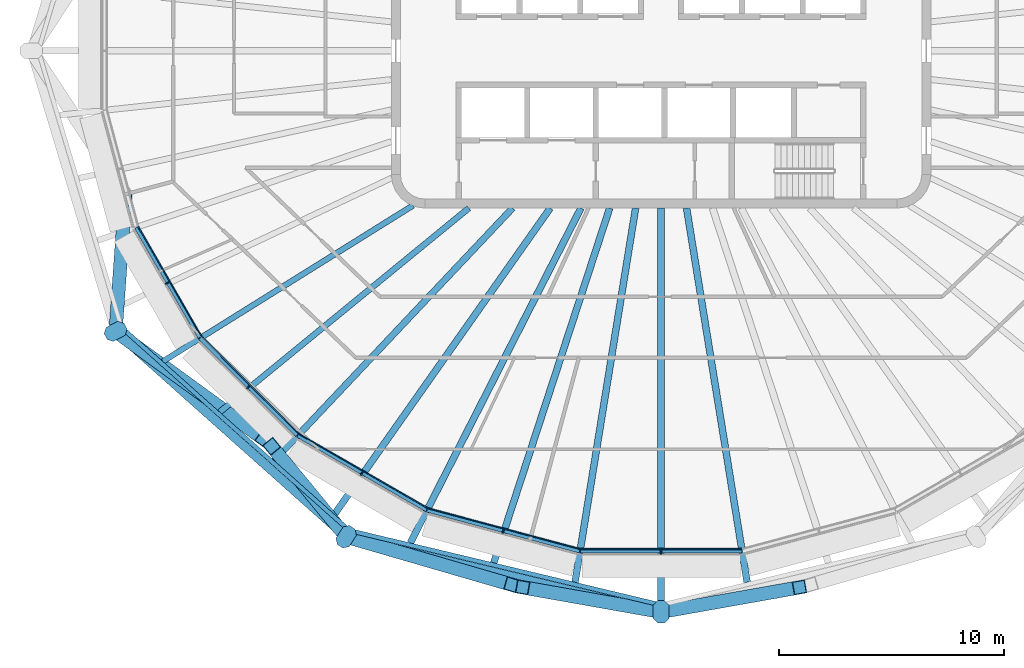
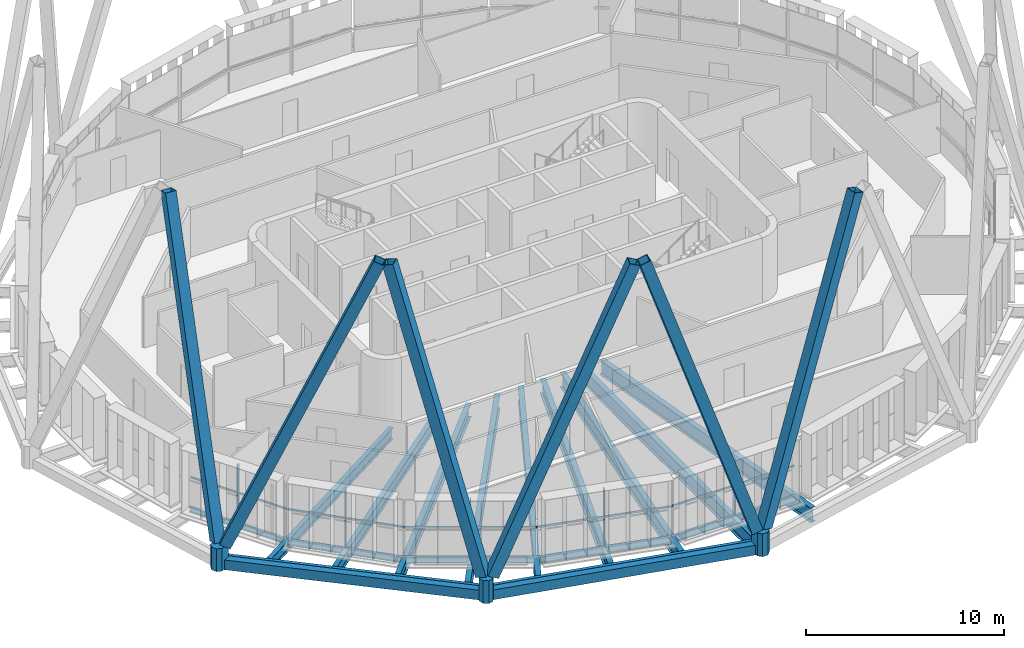
# One storey, part 1 of 18: 19 members, 18 beams, 5 elements without a shape of their own.
"""IFC4 building model written with IfcOpenShell, lengths in metres."""

import ifcopenshell
import ifcopenshell.guid

model = None  # the IFC model being written
_history = None  # IfcOwnerHistory: only IFC2X3 demands one
_inside = {}  # id of a spatial element -> (the spatial element, [elements in it])
_under = {}  # id of a project, library or spatial element -> (it, [spatial elements below it])
_declared = {}  # id of a project -> (the project, [libraries it declares])
_typed = {}  # id of a type object -> (the type object, [elements of that type])
_made_of = {}  # id of a material, layer set ... -> (it, [elements and type objects made of it])


def new_model(schema):
    """Start an empty IFC model of exactly this schema.

    Asked for "IFC4X3", IfcOpenShell would pick the latest addendum, in which some entities
    have other attributes; the version numbers below select the first issue.
    IFC2X3 requires an IfcOwnerHistory on every rooted entity: one is made here for all.
    """
    global model, _history
    if schema == "IFC4X3":
        model = ifcopenshell.file(schema_version=(4, 3, 0, 0))
    else:
        model = ifcopenshell.file(schema=schema)
    _inside.clear()
    _under.clear()
    _declared.clear()
    _typed.clear()
    _made_of.clear()
    _history = None
    if model.schema == "IFC2X3":
        org = make("IfcOrganization", Name="unknown")
        user = make(
            "IfcPersonAndOrganization",
            ThePerson=make("IfcPerson", FamilyName="unknown"),
            TheOrganization=org,
        )
        app = make(
            "IfcApplication",
            ApplicationDeveloper=org,
            Version="unknown",
            ApplicationFullName="unknown",
            ApplicationIdentifier="unknown",
        )
        _history = make(
            "IfcOwnerHistory",
            OwningUser=user,
            OwningApplication=app,
            ChangeAction="ADDED",
            CreationDate=0,
        )
    return model


def make(cls, **values):
    """One entity of the class cls with the attributes given. An attribute that is None is left unset."""
    return model.create_entity(
        cls, **{name: value for name, value in values.items() if value is not None}
    )


def rooted(cls, **values):
    """An entity with a GlobalId (a new one), such as an element, a storey or a relation."""
    return make(cls, GlobalId=ifcopenshell.guid.new(), OwnerHistory=_history, **values)


def si_unit(unit_type, name, prefix=None):
    """IfcSIUnit, for example si_unit("LENGTHUNIT", "METRE", prefix="MILLI")."""
    return make("IfcSIUnit", UnitType=unit_type, Prefix=prefix, Name=name)


def assignment(units):
    """IfcUnitAssignment: the units of a project."""
    return None if units is None else make("IfcUnitAssignment", Units=units)


def point(xyz):
    """IfcCartesianPoint."""
    return None if xyz is None else make("IfcCartesianPoint", Coordinates=xyz)


def direction(xyz):
    """IfcDirection."""
    return None if xyz is None else make("IfcDirection", DirectionRatios=xyz)


def frame(location, z_axis=None, x_axis=None):
    """IfcAxis2Placement3D, a coordinate frame: its origin and axes. An axis left out is left unset."""
    return make(
        "IfcAxis2Placement3D",
        Location=point(location),
        Axis=direction(z_axis),
        RefDirection=direction(x_axis),
    )


def frame_2d(location, x_axis=None):
    """IfcAxis2Placement2D, a coordinate frame in the plane: its origin and x axis."""
    return make(
        "IfcAxis2Placement2D", Location=point(location), RefDirection=direction(x_axis)
    )


def origin():
    """The frame at (0, 0, 0) with its axes left unset."""
    return frame((0.0, 0.0, 0.0))


def origin_2d():
    """The frame at (0, 0) in the plane with its x axis left unset."""
    return frame_2d((0.0, 0.0))


def place(relative_to, where):
    """IfcLocalPlacement: puts the frame where relative to a parent placement (None: the world)."""
    return make(
        "IfcLocalPlacement", PlacementRelTo=relative_to, RelativePlacement=where
    )


def context(
    kind, dimensions, precision=None, world=None, true_north=None, identifier=None
):
    """IfcGeometricRepresentationContext, for example the 3D "Model" context."""
    return make(
        "IfcGeometricRepresentationContext",
        ContextIdentifier=identifier,
        ContextType=kind,
        CoordinateSpaceDimension=dimensions,
        Precision=precision,
        WorldCoordinateSystem=world,
        TrueNorth=true_north,
    )


def subcontext(parent, identifier, kind, view, scale=None):
    """IfcGeometricRepresentationSubContext, for example "Body" below "Model"."""
    return make(
        "IfcGeometricRepresentationSubContext",
        ContextIdentifier=identifier,
        ContextType=kind,
        ParentContext=parent,
        TargetScale=scale,
        TargetView=view,
    )


def project(units=None, contexts=None):
    """IfcProject with its units and contexts."""
    return rooted(
        "IfcProject",
        Name="project",
        RepresentationContexts=contexts,
        UnitsInContext=assignment(units),
    )


def spatial(cls, under=None, at=None, **own):
    """A site, building, storey or space (cls), placed at a placement, below another one or the project."""
    s = rooted(cls, ObjectPlacement=at, **own)
    if under is not None:
        _under.setdefault(under.id(), (under, []))[1].append(s)
    return s


def polyline(points):
    """IfcPolyline through the points."""
    return make("IfcPolyline", Points=[point(p) for p in points])


def profile(cls, at=None, kind="AREA", **sizes):
    """A parametric profile (cls). Its sizes go by their IFC names, for example OverallWidth=200.0."""
    return make(cls, ProfileType=kind, Position=at, **sizes)


def rectangle(**sizes):
    """IfcRectangleProfileDef."""
    return profile("IfcRectangleProfileDef", **sizes)


def hollow_rectangle(**sizes):
    """IfcRectangleHollowProfileDef."""
    return profile("IfcRectangleHollowProfileDef", **sizes)


def i_section(**sizes):
    """IfcIShapeProfileDef."""
    return profile("IfcIShapeProfileDef", **sizes)


def outline(outer, holes=None, kind="AREA"):
    """IfcArbitraryClosedProfileDef: a profile drawn as a closed curve; with holes, ...WithVoids."""
    if holes is None:
        return make("IfcArbitraryClosedProfileDef", ProfileType=kind, OuterCurve=outer)
    return make(
        "IfcArbitraryProfileDefWithVoids",
        ProfileType=kind,
        OuterCurve=outer,
        InnerCurves=holes,
    )


def extrude(swept, where, along, depth):
    """IfcExtrudedAreaSolid: the profile swept, set in the frame where, extruded along a direction by depth."""
    return make(
        "IfcExtrudedAreaSolid",
        SweptArea=swept,
        Position=where,
        ExtrudedDirection=direction(along),
        Depth=depth,
    )


def shape(context_of_items, identifier, shape_type, items):
    """IfcShapeRepresentation: the items that make up one representation, for example the "Body"."""
    return make(
        "IfcShapeRepresentation",
        ContextOfItems=context_of_items,
        RepresentationIdentifier=identifier,
        RepresentationType=shape_type,
        Items=items,
    )


def material(Name=None, Category=None):
    """IfcMaterial."""
    return make("IfcMaterial", Name=Name, Category=Category)


def layer(
    of_material, thickness, ventilated=None, Name=None, Category=None, Priority=None
):
    """IfcMaterialLayer: one layer of a wall or slab, of a material (None: an air gap)."""
    return make(
        "IfcMaterialLayer",
        Material=of_material,
        LayerThickness=thickness,
        IsVentilated=ventilated,
        Name=Name,
        Category=Category,
        Priority=Priority,
    )


def layer_set(layers, Name=None):
    """IfcMaterialLayerSet."""
    return make("IfcMaterialLayerSet", MaterialLayers=layers, LayerSetName=Name)


def material_profile(
    of_material, cross_section, Name=None, Category=None, Priority=None
):
    """IfcMaterialProfile: a cross section and its material."""
    return make(
        "IfcMaterialProfile",
        Name=Name,
        Material=of_material,
        Profile=cross_section,
        Priority=Priority,
        Category=Category,
    )


def profile_set(profiles, Name=None, composite=None):
    """IfcMaterialProfileSet."""
    return make(
        "IfcMaterialProfileSet",
        Name=Name,
        MaterialProfiles=profiles,
        CompositeProfile=composite,
    )


def made_of(thing, what):
    """Note that an element or type object is made of a material, layer set ...; save() writes the relation."""
    if what is not None:
        _made_of.setdefault(what.id(), (what, []))[1].append(thing)
    return thing


def type_object(cls, material=None, **own):
    """A type object (cls), such as IfcWallType, which elements share."""
    return made_of(rooted(cls, **own), material)


def element(
    cls,
    number,
    at=None,
    inside=None,
    cuts=None,
    type_object=None,
    material=None,
    context=None,
    identifier="Body",
    shape_type=None,
    held_by="IfcProductDefinitionShape",
    body=None,
    shapes=None,
    **own,
):
    """One element of the class cls, such as IfcWall. Its Tag is "e" and its number.

    at: its placement. inside: the storey or other place that contains it. cuts: it is an
    opening in that element (IfcRelVoidsElement). A single representation is given by context,
    identifier, shape_type and body (its items); several are given by shapes. held_by: the class
    of the entity that holds the representations. save() writes the other relations.
    """
    e = rooted(cls, Tag="e%d" % number, ObjectPlacement=at, **own)
    if body is not None:
        shapes = [shape(context, identifier, shape_type, body)]
    if shapes is not None:
        e.Representation = make(held_by, Representations=shapes)
    if inside is not None:
        _inside.setdefault(inside.id(), (inside, []))[1].append(e)
    if cuts is not None:
        rooted(
            "IfcRelVoidsElement", RelatingBuildingElement=cuts, RelatedOpeningElement=e
        )
    if type_object is not None:
        _typed.setdefault(type_object.id(), (type_object, []))[1].append(e)
    return made_of(e, material)


def aggregate(whole, parts):
    """IfcRelAggregates: a whole, such as a stair, and the parts it consists of."""
    return rooted("IfcRelAggregates", RelatingObject=whole, RelatedObjects=parts)


def save(model, path):
    """Write the relations noted so far, then the file.

    IfcRelAggregates (storeys below a building ...), IfcRelContainedInSpatialStructure (elements
    in a storey), IfcRelDefinesByType, IfcRelAssociatesMaterial and IfcRelDeclares: one each for
    every whole, place, type object, material and project.
    """
    for whole, parts in _under.values():
        aggregate(whole, parts)
    for where, things in _inside.values():
        rooted(
            "IfcRelContainedInSpatialStructure",
            RelatedElements=things,
            RelatingStructure=where,
        )
    for kind, things in _typed.values():
        rooted("IfcRelDefinesByType", RelatedObjects=things, RelatingType=kind)
    for what, things in _made_of.values():
        rooted("IfcRelAssociatesMaterial", RelatedObjects=things, RelatingMaterial=what)
    for by, libraries in _declared.values():
        rooted("IfcRelDeclares", RelatingContext=by, RelatedDefinitions=libraries)
    model.write(path)


model = new_model("IFC4")

# Units and contexts
model_context = context("Model", 3, precision=1e-05, world=origin(), true_north=direction((0.0, 1.0)))
body_context = subcontext(model_context, "Body", "Model", "MODEL_VIEW")
ifc_project = project(units=[si_unit("LENGTHUNIT", "METRE"), si_unit("AREAUNIT", "SQUARE_METRE"), si_unit("VOLUMEUNIT", "CUBIC_METRE"), si_unit("PLANEANGLEUNIT", "RADIAN"), si_unit("MASSUNIT", "GRAM", prefix="KILO")], contexts=[model_context])

# Site, building, storey
site_placement = place(None, origin())
site = spatial("IfcSite", under=ifc_project, at=site_placement, CompositionType="ELEMENT")
building_placement = place(site_placement, origin())
building = spatial("IfcBuilding", under=site, at=building_placement, Name="Sahrelin Media Tower", CompositionType="ELEMENT")
storey_placement = place(building_placement, frame((0.0, 0.0, 316.39990234375)))
storey = spatial("IfcBuildingStorey", under=building, at=storey_placement, Name="L70", CompositionType="ELEMENT", Elevation=316.39990234375)

# Members
ifc_material_1 = material(Name="Steel S460", Category="steel")
ifc_material_profile_1 = material_profile(ifc_material_1, hollow_rectangle(XDim=0.60009765625, YDim=0.60009765625, WallThickness=0.030029296875, at=origin_2d()), Name="Diagrid diagonal DG9")
ifc_profile_set_1 = profile_set([ifc_material_profile_1], Name="Steel S460")
member_type_1 = type_object("IfcMemberType", Name="Diagrid diagonal DG9", PredefinedType="BRACE", material=ifc_profile_set_1)
member_1_placement = place(storey_placement, frame((-24.24755859375, -12.260986328125, 0.7001953125), z_axis=(0.021293837719, 0.29969200765, 0.953798339811), x_axis=(-0.997485295429, 0.07087372858, 0.0)))
element("IfcMember", 1, at=member_1_placement, inside=storey, type_object=member_type_1, Name="Diagrid diagonal D16-13", PredefinedType="BRACE", context=body_context, shape_type="SweptSolid", body=[
    extrude(hollow_rectangle(XDim=0.60009765625, YDim=0.60009765625, WallThickness=0.030029296875, at=origin_2d()), origin(), (0.0, 0.0, 1.0), 18.871826171875),
])
member_2_placement = place(storey_placement, frame((-24.01708984375, -12.66015625, 0.7001953125), z_axis=(0.322314038724, -0.234657855068, 0.917087428491), x_axis=(0.588577891078, 0.808440514901, 0.0)))
element("IfcMember", 2, at=member_2_placement, inside=storey, type_object=member_type_1, Name="Diagrid diagonal D16-14", PredefinedType="BRACE", context=body_context, shape_type="SweptSolid", body=[
    extrude(hollow_rectangle(XDim=0.60009765625, YDim=0.60009765625, WallThickness=0.030029296875, at=origin_2d()), origin(), (0.0, 0.0, 1.0), 19.62744140625),
])
member_3_placement = place(storey_placement, frame((-14.13232421875, -21.46728515625, 0.7001953125), z_axis=(-0.170636757802, 0.207207376875, 0.963300679879), x_axis=(-0.771938665879, -0.635697015977, 0.0)))
element("IfcMember", 3, at=member_3_placement, inside=storey, type_object=member_type_1, Name="Diagrid diagonal D16-15", PredefinedType="BRACE", context=body_context, shape_type="SweptSolid", body=[
    extrude(hollow_rectangle(XDim=0.60009765625, YDim=0.60009765625, WallThickness=0.030029296875, at=origin_2d()), origin(), (0.0, 0.0, 1.0), 18.685791015625),
])
member_4_placement = place(storey_placement, frame((-13.7333984375, -21.697509765625, 0.7001953125), z_axis=(0.363679356396, -0.10556003272, 0.925523854487), x_axis=(0.278751022186, 0.960363403942, 0.0)))
element("IfcMember", 4, at=member_4_placement, inside=storey, type_object=member_type_1, Name="Diagrid diagonal D16-16", PredefinedType="BRACE", context=body_context, shape_type="SweptSolid", body=[
    extrude(hollow_rectangle(XDim=0.60009765625, YDim=0.60009765625, WallThickness=0.030029296875, at=origin_2d()), origin(), (0.0, 0.0, 1.0), 19.448486328125),
])
for number, where, z_axis, x_axis, name in (
    (5, (-0.23046875, -24.92138671875, 0.7001953125), (-0.312151916083, 0.055339880614, 0.948419041827), (-0.174563054496, -0.984645997303, 0.0), "Diagrid diagonal D16-17"),
    (6, (0.23046875, -24.92138671875, 0.7001953125), (0.312151916083, 0.055339880614, 0.948419041827), (-0.174563054496, 0.984645997303, 0.0), "Diagrid diagonal D16-18"),
):
    element("IfcMember", number, at=place(storey_placement, frame(where, z_axis=z_axis, x_axis=x_axis)), inside=storey, type_object=member_type_1, Name=name, PredefinedType="BRACE", context=body_context, shape_type="SweptSolid", body=[
        extrude(hollow_rectangle(XDim=0.60009765625, YDim=0.60009765625, WallThickness=0.030029296875, at=origin_2d()), origin(), (0.0, 0.0, 1.0), 18.97900390625),
    ])
ifc_material_profile_2 = material_profile(ifc_material_1, outline(polyline([(0.300048828125, -0.35009765625), (0.5, -0.14990234375), (0.5, 0.14990234375), (0.300048828125, 0.35009765625), (-0.300048828125, 0.35009765625), (-0.5, 0.14990234375), (-0.5, -0.14990234375), (-0.300048828125, -0.35009765625), (0.300048828125, -0.35009765625)])), Name="Diagrid node block 1000")
ifc_profile_set_2 = profile_set([ifc_material_profile_2], Name="Steel S460")
member_type_2 = type_object("IfcMemberType", Name="Diagrid node block 1000", PredefinedType="USERDEFINED", material=ifc_profile_set_2)
for number, where, z_axis, x_axis, name in (
    (7, (-24.26318359375, -12.481201171875, -0.699951171875), (0.0, 0.0, 1.0), (-0.889244786604, -0.457431644618, 0.0), "Diagrid node N16-07"),
    (8, (-14.00830078125, -21.617919921875, -0.699951171875), (0.0, 0.0, 1.0), (-0.543810283352, -0.839208183778, 0.0), "Diagrid node N16-08"),
    (9, (0.0, -24.962158203125, -0.699951171875), (0.0, 0.0, 1.0), (0.0, -1.0, 0.0), "Diagrid node N16-09"),
):
    element("IfcMember", number, at=place(storey_placement, frame(where, z_axis=z_axis, x_axis=x_axis)), inside=storey, type_object=member_type_2, Name=name, ObjectType="NODE", PredefinedType="USERDEFINED", context=body_context, shape_type="SweptSolid", body=[
        extrude(outline(polyline([(0.300048828125, -0.35009765625), (0.5, -0.14990234375), (0.5, 0.14990234375), (0.300048828125, 0.35009765625), (-0.300048828125, 0.35009765625), (-0.5, 0.14990234375), (-0.5, -0.14990234375), (-0.300048828125, -0.35009765625), (0.300048828125, -0.35009765625)])), origin(), (0.0, 0.0, 1.0), 1.400146484375),
    ])

# Beams
ifc_material_profile_3 = material_profile(ifc_material_1, hollow_rectangle(XDim=0.39990234375, YDim=0.60009765625, WallThickness=0.030029296875, at=origin_2d()), Name="Diagrid ring beam RB1")
ifc_profile_set_3 = profile_set([ifc_material_profile_3], Name="Steel S460")
beam_type_1 = type_object("IfcBeamType", Name="Diagrid ring beam RB1", PredefinedType="BEAM", material=ifc_profile_set_3)
beam_1_placement = place(storey_placement, frame((-24.26318359375, -12.481201171875, -0.449951171875), z_axis=(0.74663993806, -0.66522838401, 0.0), x_axis=(0.66522838401, 0.74663993806, 0.0)))
element("IfcBeam", 10, at=beam_1_placement, inside=storey, type_object=beam_type_1, Name="Diagrid ring beam RB16-07", PredefinedType="BEAM", context=body_context, shape_type="SweptSolid", body=[
    extrude(hollow_rectangle(XDim=0.39990234375, YDim=0.60009765625, WallThickness=0.030029296875, at=origin_2d()), origin(), (0.0, 0.0, 1.0), 13.734619140625),
])
beam_2_placement = place(storey_placement, frame((-14.00830078125, -21.617919921875, -0.449951171875), z_axis=(0.972666348259, -0.232207181123, 0.0), x_axis=(0.232207181123, 0.972666348259, 0.0)))
element("IfcBeam", 11, at=beam_2_placement, inside=storey, type_object=beam_type_1, Name="Diagrid ring beam RB16-08", PredefinedType="BEAM", context=body_context, shape_type="SweptSolid", body=[
    extrude(hollow_rectangle(XDim=0.39990234375, YDim=0.60009765625, WallThickness=0.030029296875, at=origin_2d()), origin(), (0.0, 0.0, 1.0), 14.40185546875),
])
ifc_material_2 = material(Name="Steel S355", Category="steel")
ifc_material_profile_4 = material_profile(ifc_material_2, i_section(OverallWidth=0.1650390625, OverallDepth=0.303466796875, WebThickness=0.006103515625, FlangeThickness=0.01025390625, FilletRadius=0.0087890625, at=origin_2d()), Name="UB 305x165x40")
ifc_profile_set_4 = profile_set([ifc_material_profile_4], Name="Steel S355")
beam_type_2 = type_object("IfcBeamType", Name="Edge beam EB2", PredefinedType="BEAM", material=ifc_profile_set_4)
beam_3_placement = place(storey_placement, frame((-20.517333984375, -12.76220703125, -0.301513671875), z_axis=(-0.500010103361, 0.866019570528, 0.0), x_axis=(-0.866019570528, -0.500010103361, 0.0)))
element("IfcBeam", 12, at=beam_3_placement, inside=storey, type_object=beam_type_2, Name="Edge beam L70-11", PredefinedType="BEAM", context=body_context, shape_type="SweptSolid", body=[
    extrude(i_section(OverallWidth=0.1650390625, OverallDepth=0.303466796875, WebThickness=0.006103515625, FlangeThickness=0.01025390625, FilletRadius=0.0087890625, at=origin_2d()), origin(), (0.0, 0.0, 1.0), 5.6572265625),
])
ifc_material_profile_5 = material_profile(ifc_material_2, i_section(OverallWidth=0.17138671875, OverallDepth=0.35498046875, WebThickness=0.00732421875, FlangeThickness=0.011474609375, FilletRadius=0.01025390625, at=origin_2d()), Name="UB 356x171x51")
ifc_profile_set_5 = profile_set([ifc_material_profile_5], Name="Steel S355")
beam_type_3 = type_object("IfcBeamType", Name="Edge beam EB3", PredefinedType="BEAM", material=ifc_profile_set_5)
beam_4_placement = place(storey_placement, frame((-10.4345703125, -20.425048828125, -0.327392578125), z_axis=(-0.86602569981, 0.499999487269, 0.0), x_axis=(-0.499999487269, -0.86602569981, 0.0)))
element("IfcBeam", 13, at=beam_4_placement, inside=storey, type_object=beam_type_3, Name="Edge beam L70-09", PredefinedType="BEAM", context=body_context, shape_type="SweptSolid", body=[
    extrude(i_section(OverallWidth=0.17138671875, OverallDepth=0.35498046875, WebThickness=0.00732421875, FlangeThickness=0.011474609375, FilletRadius=0.01025390625, at=origin_2d()), origin(), (0.0, 0.0, 1.0), 6.611328125),
])
beam_5_placement = place(storey_placement, frame((-16.18310546875, -17.101806640625, -0.327392578125), z_axis=(-0.707086785237, 0.707126776571, 0.0), x_axis=(-0.707126776571, -0.707086785237, 0.0)))
element("IfcBeam", 14, at=beam_5_placement, inside=storey, type_object=beam_type_3, Name="Edge beam L70-10", PredefinedType="BEAM", context=body_context, shape_type="SweptSolid", body=[
    extrude(i_section(OverallWidth=0.17138671875, OverallDepth=0.35498046875, WebThickness=0.00732421875, FlangeThickness=0.011474609375, FilletRadius=0.01025390625, at=origin_2d()), origin(), (0.0, 0.0, 1.0), 6.104736328125),
])
ifc_material_profile_6 = material_profile(ifc_material_2, i_section(OverallWidth=0.177978515625, OverallDepth=0.406494140625, WebThickness=0.0078125, FlangeThickness=0.0126953125, FilletRadius=0.01025390625, at=origin_2d()), Name="UB 406x178x60")
ifc_profile_set_6 = profile_set([ifc_material_profile_6], Name="Steel S355")
beam_type_4 = type_object("IfcBeamType", Name="Edge beam EB4", PredefinedType="BEAM", material=ifc_profile_set_6)
beam_6_placement = place(storey_placement, frame((3.593505859375, -22.258056640625, -0.35302734375), z_axis=(-1.0, 0.0, 0.0), x_axis=(0.0, -1.0, 0.0)))
element("IfcBeam", 15, at=beam_6_placement, inside=storey, type_object=beam_type_4, Name="Edge beam L70-07", PredefinedType="BEAM", context=body_context, shape_type="SweptSolid", body=[
    extrude(i_section(OverallWidth=0.177978515625, OverallDepth=0.406494140625, WebThickness=0.0078125, FlangeThickness=0.0126953125, FilletRadius=0.01025390625, at=origin_2d()), origin(), (0.0, 0.0, 1.0), 7.18701171875),
])
beam_7_placement = place(storey_placement, frame((-3.6220703125, -22.25439453125, -0.35302734375), z_axis=(-0.965922766368, 0.258830464613, 0.0), x_axis=(-0.258830464613, -0.965922766368, 0.0)))
element("IfcBeam", 16, at=beam_7_placement, inside=storey, type_object=beam_type_4, Name="Edge beam L70-08", PredefinedType="BEAM", context=body_context, shape_type="SweptSolid", body=[
    extrude(i_section(OverallWidth=0.177978515625, OverallDepth=0.406494140625, WebThickness=0.0078125, FlangeThickness=0.0126953125, FilletRadius=0.01025390625, at=origin_2d()), origin(), (0.0, 0.0, 1.0), 7.025390625),
])

# Curtain wall, member
ifc_material_3 = material(Name="Champagne anodised aluminium 6063-T6", Category="aluminium")
ifc_layer = layer(ifc_material_3, 0.14990234375)
ifc_layer_set = layer_set([ifc_layer], Name="Tower ribbon curtain wall")
curtain_wall_type = type_object("IfcCurtainWallType", Name="Tower ribbon curtain wall", PredefinedType="NOTDEFINED", material=ifc_layer_set)
curtain_wall_1_placement = place(storey_placement, frame((-22.0615234375, -10.3876953125, 0.0), z_axis=(0.0, 0.0, 1.0), x_axis=(1.0, 0.0, 0.0)))
curtain_wall_1 = element("IfcCurtainWall", 17, at=curtain_wall_1_placement, inside=storey, type_object=curtain_wall_type, Name="L70:CW:L70-14", PredefinedType="NOTDEFINED")
ifc_material_profile_7 = material_profile(ifc_material_3, rectangle(XDim=0.06005859375, YDim=0.199951171875, at=origin_2d()), Name="Mullion 60x200")
ifc_profile_set_7 = profile_set([ifc_material_profile_7], Name="Champagne anodised aluminium 6063-T6")
member_type_3 = type_object("IfcMemberType", Name="Mullion 60x200 CW1C", PredefinedType="MULLION", material=ifc_profile_set_7)
member_5_placement = place(storey_placement, frame((-21.95751953125, -10.327392578125, 0.0), z_axis=(0.0, 0.0, 1.0), x_axis=(0.500001511499, -0.866024531118, 0.0)))
member_5 = element("IfcMember", 18, at=member_5_placement, type_object=member_type_3, Name="L70:CWM:L70-14", PredefinedType="MULLION", context=body_context, shape_type="SweptSolid", body=[
    extrude(rectangle(XDim=0.06005859375, YDim=0.199951171875, at=origin_2d()), origin(), (0.0, 0.0, 1.0), 3.44873046875),
])

curtain_wall_2_placement = place(storey_placement, frame((-18.447509765625, -15.04931640625, 0.0), z_axis=(0.0, 0.0, 1.0), x_axis=(1.0, 0.0, 0.0)))
curtain_wall_2 = element("IfcCurtainWall", 19, at=curtain_wall_2_placement, inside=storey, type_object=curtain_wall_type, Name="L70:CW:L70-15", PredefinedType="NOTDEFINED")
member_6_placement = place(storey_placement, frame((-18.362548828125, -14.964599609375, 0.0), z_axis=(0.0, 0.0, 1.0), x_axis=(0.707106781187, -0.707106781187, 0.0)))
member_6 = element("IfcMember", 20, at=member_6_placement, type_object=member_type_3, Name="L70:CWM:L70-15", PredefinedType="MULLION", context=body_context, shape_type="SweptSolid", body=[
    extrude(rectangle(XDim=0.06005859375, YDim=0.199951171875, at=origin_2d()), origin(), (0.0, 0.0, 1.0), 3.44873046875),
])

curtain_wall_3_placement = place(storey_placement, frame((-13.372314453125, -18.902099609375, 0.0), z_axis=(0.0, 0.0, 1.0), x_axis=(1.0, 0.0, 0.0)))
curtain_wall_3 = element("IfcCurtainWall", 21, at=curtain_wall_3_placement, inside=storey, type_object=curtain_wall_type, Name="L70:CW:L70-16", PredefinedType="NOTDEFINED")
member_7_placement = place(storey_placement, frame((-13.312255859375, -18.798095703125, 0.0), z_axis=(0.0, 0.0, 1.0), x_axis=(0.86602365845, -0.500003022996, 0.0)))
member_7 = element("IfcMember", 22, at=member_7_placement, type_object=member_type_3, Name="L70:CWM:L70-16", PredefinedType="MULLION", context=body_context, shape_type="SweptSolid", body=[
    extrude(rectangle(XDim=0.06005859375, YDim=0.199951171875, at=origin_2d()), origin(), (0.0, 0.0, 1.0), 3.44873046875),
])

curtain_wall_4_placement = place(storey_placement, frame((-7.0537109375, -21.489990234375, 0.0), z_axis=(0.0, 0.0, 1.0), x_axis=(1.0, 0.0, 0.0)))
curtain_wall_4 = element("IfcCurtainWall", 23, at=curtain_wall_4_placement, inside=storey, type_object=curtain_wall_type, Name="L70:CW:L70-17", PredefinedType="NOTDEFINED")
member_8_placement = place(storey_placement, frame((-7.022705078125, -21.374267578125, 0.0), z_axis=(0.0, 0.0, 1.0), x_axis=(0.965926278012, -0.258817359244, 0.0)))
member_8 = element("IfcMember", 24, at=member_8_placement, type_object=member_type_3, Name="L70:CWM:L70-17", PredefinedType="MULLION", context=body_context, shape_type="SweptSolid", body=[
    extrude(rectangle(XDim=0.06005859375, YDim=0.199951171875, at=origin_2d()), origin(), (0.0, 0.0, 1.0), 3.44873046875),
])

curtain_wall_5_placement = place(storey_placement, frame((0.0, -22.408203125, 0.0), z_axis=(0.0, 0.0, 1.0), x_axis=(1.0, 0.0, 0.0)))
curtain_wall_5 = element("IfcCurtainWall", 25, at=curtain_wall_5_placement, inside=storey, type_object=curtain_wall_type, Name="L70:CW:L70-18", PredefinedType="NOTDEFINED")
member_9_placement = place(storey_placement, frame((0.0, -22.2880859375, 0.0), z_axis=(0.0, 0.0, 1.0), x_axis=(1.0, 0.0, 0.0)))
member_9 = element("IfcMember", 26, at=member_9_placement, type_object=member_type_3, Name="L70:CWM:L70-18", PredefinedType="MULLION", context=body_context, shape_type="SweptSolid", body=[
    extrude(rectangle(XDim=0.06005859375, YDim=0.199951171875, at=origin_2d()), origin(), (0.0, 0.0, 1.0), 3.44873046875),
])

# Beams
ifc_material_profile_8 = material_profile(ifc_material_2, i_section(OverallWidth=0.291748046875, OverallDepth=0.8349609375, WebThickness=0.013916015625, FlangeThickness=0.018798828125, FilletRadius=0.017822265625, at=origin_2d()), Name="UB 838x292x176")
ifc_profile_set_8 = profile_set([ifc_material_profile_8], Name="Steel S355")
beam_type_5 = type_object("IfcBeamType", Name="Radial primary beam PB10", PredefinedType="BEAM", material=ifc_profile_set_8)
beam_8_placement = place(storey_placement, frame((-6.607177734375, -7.0, -0.5673828125), z_axis=(-0.686402151296, -0.727222171483, 0.0), x_axis=(0.727222171483, -0.686402151296, 0.0)))
element("IfcBeam", 27, at=beam_8_placement, inside=storey, type_object=beam_type_5, Name="Radial beam L70-16", PredefinedType="BEAM", context=body_context, shape_type="SweptSolid", body=[
    extrude(i_section(OverallWidth=0.291748046875, OverallDepth=0.8349609375, WebThickness=0.013916015625, FlangeThickness=0.018798828125, FilletRadius=0.017822265625, at=origin_2d()), origin(), (0.0, 0.0, 1.0), 15.44873046875),
])
ifc_material_profile_9 = material_profile(ifc_material_2, i_section(OverallWidth=0.30322265625, OverallDepth=0.903076171875, WebThickness=0.01513671875, FlangeThickness=0.020263671875, FilletRadius=0.01904296875, at=origin_2d()), Name="UB 914x305x201")
ifc_profile_set_9 = profile_set([ifc_material_profile_9], Name="Steel S355")
beam_type_6 = type_object("IfcBeamType", Name="Radial primary beam PB11", PredefinedType="BEAM", material=ifc_profile_set_9)
beam_9_placement = place(storey_placement, frame((-3.56591796875, -7.0, -0.601318359375), z_axis=(-0.453908495023, -0.891048302925, 0.0), x_axis=(0.891048302925, -0.453908495023, 0.0)))
element("IfcBeam", 28, at=beam_9_placement, inside=storey, type_object=beam_type_6, Name="Radial beam L70-17", PredefinedType="BEAM", context=body_context, shape_type="SweptSolid", body=[
    extrude(i_section(OverallWidth=0.30322265625, OverallDepth=0.903076171875, WebThickness=0.01513671875, FlangeThickness=0.020263671875, FilletRadius=0.01904296875, at=origin_2d()), origin(), (0.0, 0.0, 1.0), 16.714111328125),
])
for number, where, z_axis, x_axis, name in (
    (29, (-1.13330078125, -7.0, -0.601318359375), (-0.1598061007, -0.987148423581, 0.0), (0.987148423581, -0.1598061007, 0.0), "Radial beam L70-18"),
    (30, (1.13330078125, -7.0, -0.601318359375), (0.1598061007, -0.987148423581, 0.0), (0.987148423581, 0.1598061007, 0.0), "Radial beam L70-19"),
):
    element("IfcBeam", number, at=place(storey_placement, frame(where, z_axis=z_axis, x_axis=x_axis)), inside=storey, type_object=beam_type_6, Name=name, PredefinedType="BEAM", context=body_context, shape_type="SweptSolid", body=[
        extrude(i_section(OverallWidth=0.30322265625, OverallDepth=0.903076171875, WebThickness=0.01513671875, FlangeThickness=0.020263671875, FilletRadius=0.01904296875, at=origin_2d()), origin(), (0.0, 0.0, 1.0), 16.8583984375),
    ])
ifc_material_profile_10 = material_profile(ifc_material_2, i_section(OverallWidth=0.2529296875, OverallDepth=0.677978515625, WebThickness=0.01171875, FlangeThickness=0.01611328125, FilletRadius=0.01513671875, at=origin_2d()), Name="UB 686x254x125")
ifc_profile_set_10 = profile_set([ifc_material_profile_10], Name="Steel S355")
beam_type_7 = type_object("IfcBeamType", Name="Radial primary beam PB8", PredefinedType="BEAM", material=ifc_profile_set_10)
beam_10_placement = place(storey_placement, frame((-11.040283203125, -6.8857421875, -0.489013671875), z_axis=(-0.848498069324, -0.529198475389, 0.0), x_axis=(0.529198475389, -0.848498069324, 0.0)))
element("IfcBeam", 31, at=beam_10_placement, inside=storey, type_object=beam_type_7, Name="Radial beam L70-15", PredefinedType="BEAM", context=body_context, shape_type="SweptSolid", body=[
    extrude(i_section(OverallWidth=0.2529296875, OverallDepth=0.677978515625, WebThickness=0.01171875, FlangeThickness=0.01611328125, FilletRadius=0.01513671875, at=origin_2d()), origin(), (0.0, 0.0, 1.0), 13.108642578125),
])
ifc_material_profile_11 = material_profile(ifc_material_2, i_section(OverallWidth=0.30322265625, OverallDepth=0.903076171875, WebThickness=0.01513671875, FlangeThickness=0.020263671875, FilletRadius=0.01904296875, at=origin_2d()), Name="UB 914x305x201")
ifc_profile_set_11 = profile_set([ifc_material_profile_11], Name="Steel S355")
beam_type_8 = type_object("IfcBeamType", Name="Radial secondary beam SB11", PredefinedType="BEAM", material=ifc_profile_set_11)
beam_11_placement = place(storey_placement, frame((-4.9326171875, -7.0, -0.601318359375), z_axis=(-0.57600715637, -0.817444649998, 0.0), x_axis=(0.817444649998, -0.57600715637, 0.0)))
element("IfcBeam", 32, at=beam_11_placement, inside=storey, type_object=beam_type_8, Name="Secondary beam L70-16", PredefinedType="BEAM", context=body_context, shape_type="SweptSolid", body=[
    extrude(i_section(OverallWidth=0.30322265625, OverallDepth=0.903076171875, WebThickness=0.01513671875, FlangeThickness=0.020263671875, FilletRadius=0.01904296875, at=origin_2d()), origin(), (0.0, 0.0, 1.0), 16.66455078125),
])
beam_12_placement = place(storey_placement, frame((-2.287353515625, -7.0, -0.601318359375), z_axis=(-0.310596523093, -0.950541845393, 0.0), x_axis=(0.950541845393, -0.310596523093, 0.0)))
element("IfcBeam", 33, at=beam_12_placement, inside=storey, type_object=beam_type_8, Name="Secondary beam L70-17", PredefinedType="BEAM", context=body_context, shape_type="SweptSolid", body=[
    extrude(i_section(OverallWidth=0.30322265625, OverallDepth=0.903076171875, WebThickness=0.01513671875, FlangeThickness=0.020263671875, FilletRadius=0.01904296875, at=origin_2d()), origin(), (0.0, 0.0, 1.0), 16.599609375),
])
beam_13_placement = place(storey_placement, frame((0.0, -7.0, -0.601318359375), z_axis=(0.0, -1.0, 0.0), x_axis=(1.0, 0.0, 0.0)))
element("IfcBeam", 34, at=beam_13_placement, inside=storey, type_object=beam_type_8, Name="Secondary beam L70-18", PredefinedType="BEAM", context=body_context, shape_type="SweptSolid", body=[
    extrude(i_section(OverallWidth=0.30322265625, OverallDepth=0.903076171875, WebThickness=0.01513671875, FlangeThickness=0.020263671875, FilletRadius=0.01904296875, at=origin_2d()), origin(), (0.0, 0.0, 1.0), 17.5556640625),
])
ifc_material_profile_12 = material_profile(ifc_material_2, i_section(OverallWidth=0.26513671875, OverallDepth=0.75390625, WebThickness=0.0126953125, FlangeThickness=0.017578125, FilletRadius=0.0166015625, at=origin_2d()), Name="UB 762x267x147")
ifc_profile_set_12 = profile_set([ifc_material_profile_12], Name="Steel S355")
beam_type_9 = type_object("IfcBeamType", Name="Radial secondary beam SB9", PredefinedType="BEAM", material=ifc_profile_set_12)
beam_14_placement = place(storey_placement, frame((-8.551513671875, -7.0, -0.52685546875), z_axis=(-0.773813005588, -0.633414108133, 0.0), x_axis=(0.633414108133, -0.773813005588, 0.0)))
element("IfcBeam", 35, at=beam_14_placement, inside=storey, type_object=beam_type_9, Name="Secondary beam L70-15", PredefinedType="BEAM", context=body_context, shape_type="SweptSolid", body=[
    extrude(i_section(OverallWidth=0.26513671875, OverallDepth=0.75390625, WebThickness=0.0126953125, FlangeThickness=0.017578125, FilletRadius=0.0166015625, at=origin_2d()), origin(), (0.0, 0.0, 1.0), 14.3251953125),
])
ifc_material_profile_13 = material_profile(ifc_material_2, i_section(OverallWidth=0.1904296875, OverallDepth=0.45703125, WebThickness=0.009033203125, FlangeThickness=0.014404296875, FilletRadius=0.01025390625, at=origin_2d()), Name="UB 457x191x74")
ifc_profile_set_13 = profile_set([ifc_material_profile_13], Name="Steel S355")
beam_type_10 = type_object("IfcBeamType", Name="Tie chord TC5", PredefinedType="BEAM", material=ifc_profile_set_13)
beam_15_placement = place(storey_placement, frame((0.0, -24.653564453125, -0.37841796875), z_axis=(-0.972665821988, 0.232209385546, 0.0), x_axis=(-0.232209385546, -0.972665821988, 0.0)))
element("IfcBeam", 36, at=beam_15_placement, inside=storey, type_object=beam_type_10, Name="Tie chord L70-04", PredefinedType="BEAM", context=body_context, shape_type="SweptSolid", body=[
    extrude(i_section(OverallWidth=0.1904296875, OverallDepth=0.45703125, WebThickness=0.009033203125, FlangeThickness=0.014404296875, FilletRadius=0.01025390625, at=origin_2d()), origin(), (0.0, 0.0, 1.0), 14.254638671875),
])
beam_16_placement = place(storey_placement, frame((-13.864990234375, -21.343505859375, -0.37841796875), z_axis=(-0.746643763591, 0.665224090281, 0.0), x_axis=(-0.665224090281, -0.746643763591, 0.0)))
element("IfcBeam", 37, at=beam_16_placement, inside=storey, type_object=beam_type_10, Name="Tie chord L70-05", PredefinedType="BEAM", context=body_context, shape_type="SweptSolid", body=[
    extrude(i_section(OverallWidth=0.1904296875, OverallDepth=0.45703125, WebThickness=0.009033203125, FlangeThickness=0.014404296875, FilletRadius=0.01025390625, at=origin_2d()), origin(), (0.0, 0.0, 1.0), 13.574462890625),
])

# Member
ifc_material_profile_14 = material_profile(ifc_material_3, rectangle(XDim=0.050048828125, YDim=0.1201171875, at=origin_2d()), Name="Transom 50x120")
ifc_profile_set_14 = profile_set([ifc_material_profile_14], Name="Champagne anodised aluminium 6063-T6")
member_type_4 = type_object("IfcMemberType", Name="Transom 50x120 CW1C", PredefinedType="USERDEFINED", material=ifc_profile_set_14)
member_10_placement = place(storey_placement, frame((-23.255615234375, -7.8291015625, 1.60009765625), z_axis=(0.499999198584, -0.866025866482, 0.0), x_axis=(0.866025866482, 0.499999198584, 0.0)))
member_10 = element("IfcMember", 38, at=member_10_placement, type_object=member_type_4, Name="L70:CWT:L70-14", ObjectType="TRANSOM", PredefinedType="USERDEFINED", context=body_context, shape_type="SweptSolid", body=[
    extrude(rectangle(XDim=0.050048828125, YDim=0.1201171875, at=origin_2d()), origin(), (0.0, 0.0, 1.0), 5.62548828125),
])

aggregate(curtain_wall_1, [member_5, member_10])

member_11_placement = place(storey_placement, frame((-20.42138671875, -12.72900390625, 1.60009765625), z_axis=(0.707106781187, -0.707106781187, 0.0), x_axis=(0.707106781187, 0.707106781187, 0.0)))
member_11 = element("IfcMember", 39, at=member_11_placement, type_object=member_type_4, Name="L70:CWT:L70-15", ObjectType="TRANSOM", PredefinedType="USERDEFINED", context=body_context, shape_type="SweptSolid", body=[
    extrude(rectangle(XDim=0.050048828125, YDim=0.1201171875, at=origin_2d()), origin(), (0.0, 0.0, 1.0), 6.0732421875),
])

aggregate(curtain_wall_2, [member_6, member_11])

member_12_placement = place(storey_placement, frame((-16.09912109375, -17.044921875, 1.60009765625), z_axis=(0.866024321458, -0.50000187464, 0.0), x_axis=(0.50000187464, 0.866024321458, 0.0)))
member_12 = element("IfcMember", 40, at=member_12_placement, type_object=member_type_4, Name="L70:CWT:L70-16", ObjectType="TRANSOM", PredefinedType="USERDEFINED", context=body_context, shape_type="SweptSolid", body=[
    extrude(rectangle(XDim=0.050048828125, YDim=0.1201171875, at=origin_2d()), origin(), (0.0, 0.0, 1.0), 6.580078125),
])

aggregate(curtain_wall_3, [member_7, member_12])

member_13_placement = place(storey_placement, frame((-10.3681640625, -20.348388671875, 1.60009765625), z_axis=(0.965929509854, -0.258805297461, 0.0), x_axis=(0.258805297461, 0.965929509854, 0.0)))
member_13 = element("IfcMember", 41, at=member_13_placement, type_object=member_type_4, Name="L70:CWT:L70-17", ObjectType="TRANSOM", PredefinedType="USERDEFINED", context=body_context, shape_type="SweptSolid", body=[
    extrude(rectangle(XDim=0.050048828125, YDim=0.1201171875, at=origin_2d()), origin(), (0.0, 0.0, 1.0), 6.993896484375),
])

aggregate(curtain_wall_4, [member_8, member_13])

member_14_placement = place(storey_placement, frame((-3.57763671875, -22.1630859375, 1.60009765625), z_axis=(1.0, 0.0, 0.0), x_axis=(0.0, 1.0, 0.0)))
member_14 = element("IfcMember", 42, at=member_14_placement, type_object=member_type_4, Name="L70:CWT:L70-18", ObjectType="TRANSOM", PredefinedType="USERDEFINED", context=body_context, shape_type="SweptSolid", body=[
    extrude(rectangle(XDim=0.050048828125, YDim=0.1201171875, at=origin_2d()), origin(), (0.0, 0.0, 1.0), 7.1552734375),
])

aggregate(curtain_wall_5, [member_9, member_14])

save(model, "model.ifc")
